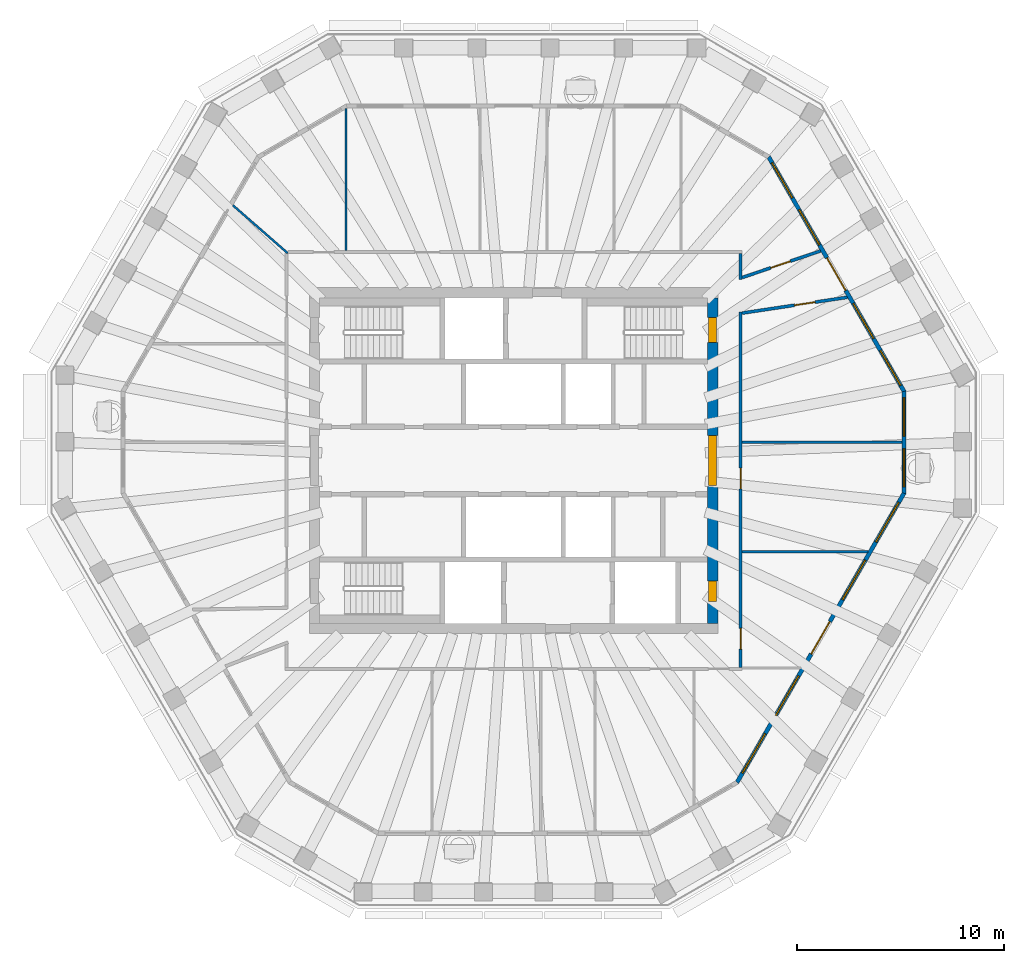
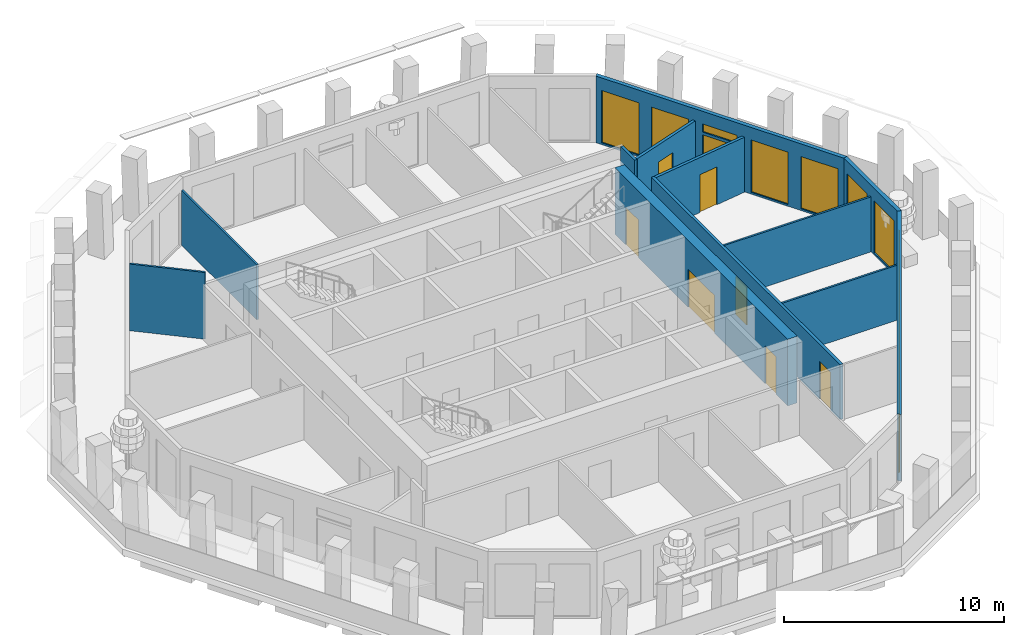
# One storey, part 6 of 11: 12 walls, 12 windows, 9 doors, 21 openings.
"""IFC4 building model written with IfcOpenShell, lengths in metres."""

from ifc_helpers import new_model, si_unit, direction, frame, frame_2d, origin, place, context, subcontext, project, spatial, polyline, rectangle, outline, extrude, material, layer, layer_set, type_object, element, fill, save


model = new_model("IFC4")

# Units and contexts
model_context = context("Model", 3, precision=1e-05, world=origin(), true_north=direction((0.0, 1.0)))
body_context = subcontext(model_context, "Body", "Model", "MODEL_VIEW")
ifc_project = project(units=[si_unit("LENGTHUNIT", "METRE"), si_unit("AREAUNIT", "SQUARE_METRE"), si_unit("VOLUMEUNIT", "CUBIC_METRE"), si_unit("PLANEANGLEUNIT", "RADIAN"), si_unit("MASSUNIT", "GRAM", prefix="KILO")], contexts=[model_context])

# Site, building, storey
site_placement = place(None, origin())
site = spatial("IfcSite", under=ifc_project, at=site_placement, CompositionType="ELEMENT")
building_placement = place(site_placement, origin())
building = spatial("IfcBuilding", under=site, at=building_placement, Name="Frailejon Research Tower", CompositionType="ELEMENT")
storey_placement = place(building_placement, frame((0.0, 0.0, 336.60009765625)))
storey = spatial("IfcBuildingStorey", under=building, at=storey_placement, Name="L75", CompositionType="ELEMENT", Elevation=336.60009765625)

# Wall, openings, doors
ifc_material_1 = material(Name="Concrete C50/60", Category="concrete")
ifc_layer_1 = layer(ifc_material_1, 0.5)
ifc_layer_set_1 = layer_set([ifc_layer_1], Name="Core shear wall 500 C50/60")
wall_type_1 = type_object("IfcWallType", Name="Core shear wall 500 C50/60", PredefinedType="SHEAR", material=ifc_layer_set_1)
wall_1_placement = place(storey_placement, frame((9.60009765625, -7.85009765625, 0.0), z_axis=(0.0, 0.0, 1.0), x_axis=(0.0, 1.0, 0.0)))
wall_1 = element("IfcWall", 1, at=wall_1_placement, inside=storey, type_object=wall_type_1, Name="Core shear wall", PredefinedType="SHEAR", context=body_context, shape_type="SweptSolid", body=[
    extrude(rectangle(XDim=15.7001953125, YDim=0.5, at=frame_2d((7.85009765625, 0.0))), origin(), (0.0, 0.0, 1.0), 3.699951171875),
])
opening_1_placement = place(wall_1_placement, frame((6.64990234375, 0.0, 0.0)))
opening_1 = element("IfcOpeningElement", 2, at=opening_1_placement, cuts=wall_1, Name="Opening D2", PredefinedType="OPENING", context=body_context, shape_type="SweptSolid", body=[
    extrude(rectangle(XDim=2.39990234375, YDim=2.10009765625, at=frame_2d((1.199951171875, 1.050048828125))), frame((0.0, 0.260009765625, 0.0), z_axis=(0.0, -1.0, 0.0), x_axis=(1.0, 0.0, 0.0)), (0.0, 0.0, 1.0), 0.52001953125),
])
opening_2_placement = place(wall_1_placement, frame((13.550048828125, 0.0, 0.0)))
opening_2 = element("IfcOpeningElement", 3, at=opening_2_placement, cuts=wall_1, Name="Opening D1", PredefinedType="OPENING", context=body_context, shape_type="SweptSolid", body=[
    extrude(rectangle(XDim=1.199951171875, YDim=2.10009765625, at=frame_2d((0.60009765625, 1.050048828125))), frame((0.0, 0.260009765625, 0.0), z_axis=(0.0, -1.0, 0.0), x_axis=(1.0, 0.0, 0.0)), (0.0, 0.0, 1.0), 0.52001953125),
])
opening_3_placement = place(wall_1_placement, frame((1.050048828125, 0.0, 0.0)))
opening_3 = element("IfcOpeningElement", 4, at=opening_3_placement, cuts=wall_1, Name="Opening D4", PredefinedType="OPENING", context=body_context, shape_type="SweptSolid", body=[
    extrude(rectangle(XDim=1.0, YDim=2.10009765625, at=frame_2d((0.5, 1.050048828125))), frame((0.0, 0.260009765625, 0.0), z_axis=(0.0, -1.0, 0.0), x_axis=(1.0, 0.0, 0.0)), (0.0, 0.0, 1.0), 0.52001953125),
])
ifc_material_2 = material(Name="Steel", Category="steel")
door_type_1 = type_object("IfcDoorType", Name="Lobby double door", OperationType="DOUBLE_DOOR_SINGLE_SWING", PredefinedType="DOOR", material=ifc_material_2)
door_1_placement = place(opening_1_placement, origin())
door_1 = element("IfcDoor", 5, at=door_1_placement, inside=storey, type_object=door_type_1, Name="Lobby door", OperationType="DOUBLE_DOOR_SINGLE_SWING", OverallHeight=2.10009765625, OverallWidth=2.39990234375, PredefinedType="DOOR", context=body_context, shape_type="SweptSolid", body=[
    extrude(rectangle(XDim=2.39990234375, YDim=2.10009765625, at=frame_2d((1.199951171875, 1.050048828125))), frame((0.0, 0.199951171875, 0.0), z_axis=(0.0, -1.0, 0.0), x_axis=(1.0, 0.0, 0.0)), (0.0, 0.0, 1.0), 0.39990234375),
])
fill(opening_1, door_1)
ifc_material_3 = material(Name="Steel", Category="steel")
door_type_2 = type_object("IfcDoorType", Name="Service door", OperationType="SINGLE_SWING_LEFT", PredefinedType="DOOR", material=ifc_material_3)
door_2_placement = place(opening_3_placement, origin())
door_2 = element("IfcDoor", 6, at=door_2_placement, inside=storey, type_object=door_type_2, Name="Riser door", OperationType="SINGLE_SWING_LEFT", OverallHeight=2.10009765625, OverallWidth=1.0, PredefinedType="DOOR", context=body_context, shape_type="SweptSolid", body=[
    extrude(rectangle(XDim=1.0, YDim=2.10009765625, at=frame_2d((0.5, 1.050048828125))), frame((0.0, 0.199951171875, 0.0), z_axis=(0.0, -1.0, 0.0), x_axis=(1.0, 0.0, 0.0)), (0.0, 0.0, 1.0), 0.39990234375),
])
fill(opening_3, door_2)
ifc_material_4 = material(Name="Steel", Category="steel")
door_type_3 = type_object("IfcDoorType", Name="Stair door", OperationType="SINGLE_SWING_LEFT", PredefinedType="DOOR", material=ifc_material_4)
door_3_placement = place(opening_2_placement, origin())
door_3 = element("IfcDoor", 7, at=door_3_placement, inside=storey, type_object=door_type_3, Name="Stair door ST3", OperationType="SINGLE_SWING_RIGHT", OverallHeight=2.10009765625, OverallWidth=1.199951171875, PredefinedType="DOOR", context=body_context, shape_type="SweptSolid", body=[
    extrude(rectangle(XDim=1.199951171875, YDim=2.10009765625, at=frame_2d((0.60009765625, 1.050048828125))), frame((0.0, 0.199951171875, 0.0), z_axis=(0.0, -1.0, 0.0), x_axis=(1.0, 0.0, 0.0)), (0.0, 0.0, 1.0), 0.39990234375),
])
fill(opening_2, door_3)

# Wall, opening, door
ifc_material_5 = material(Name="Gypsum board and masonry partition", Category="masonry")
ifc_layer_2 = layer(ifc_material_5, 0.14990234375)
ifc_layer_set_2 = layer_set([ifc_layer_2], Name="Corridor wall EI 60, gypsum on steel studs 150")
wall_type_2 = type_object("IfcWallType", Name="Corridor wall EI 60, gypsum on steel studs 150", PredefinedType="PARTITIONING", material=ifc_layer_set_2)
wall_2_placement = place(storey_placement, frame((11.024169921875, 7.111083984375, 0.0), z_axis=(0.0, 0.0, 1.0), x_axis=(0.988936004007, 0.148342778651, 0.0)))
wall_2 = element("IfcWall", 8, at=wall_2_placement, inside=storey, type_object=wall_type_2, Name="T:IW:L75:001", PredefinedType="PARTITIONING", context=body_context, shape_type="SweptSolid", body=[
    extrude(rectangle(XDim=5.13330078125, YDim=0.14990234375, at=frame_2d((2.566650390625, 0.0))), origin(), (0.0, 0.0, 1.0), 3.0498046875),
])
opening_4_placement = place(wall_2_placement, frame((2.555419921875, 0.0, 0.0)))
opening_4 = element("IfcOpeningElement", 9, at=opening_4_placement, cuts=wall_2, Name="Opening D2397", PredefinedType="OPENING", context=body_context, shape_type="SweptSolid", body=[
    extrude(rectangle(XDim=1.0, YDim=2.10009765625, at=frame_2d((0.5, 1.050048828125))), frame((0.0, 0.0849609375, 0.0), z_axis=(0.0, -1.0, 0.0), x_axis=(1.0, 0.0, 0.0)), (0.0, 0.0, 1.0), 0.169921875),
])
ifc_material_6 = material(Name="Timber door leaf", Category="wood")
door_type_4 = type_object("IfcDoorType", Name="Door single leaf, timber, steel frame 1000", OperationType="NOTDEFINED", PredefinedType="DOOR", material=ifc_material_6)
door_4_placement = place(opening_4_placement, origin())
door_4 = element("IfcDoor", 10, at=door_4_placement, inside=storey, type_object=door_type_4, Name="D2397", OperationType="SINGLE_SWING_RIGHT", OverallHeight=2.10009765625, OverallWidth=1.0, PredefinedType="DOOR", context=body_context, shape_type="SweptSolid", body=[
    extrude(rectangle(XDim=1.0, YDim=2.10009765625, at=frame_2d((0.5, 1.050048828125))), frame((0.0, 0.02490234375, 0.0), z_axis=(0.0, -1.0, 0.0), x_axis=(1.0, 0.0, 0.0)), (0.0, 0.0, 1.0), 0.050048828125),
])
fill(opening_4, door_4)

wall_3_placement = place(storey_placement, frame((11.02099609375, 8.82421875, 0.0), z_axis=(0.0, 0.0, 1.0), x_axis=(0.946948189556, 0.321386257167, 0.0)))
wall_3 = element("IfcWall", 11, at=wall_3_placement, inside=storey, type_object=wall_type_2, Name="T:IW:L75:002", PredefinedType="PARTITIONING", context=body_context, shape_type="SweptSolid", body=[
    extrude(rectangle(XDim=4.000244140625, YDim=0.14990234375, at=frame_2d((2.0, 0.0))), origin(), (0.0, 0.0, 1.0), 3.0498046875),
])
opening_5_placement = place(wall_3_placement, frame((1.462646484375, 0.0, 0.0)))
opening_5 = element("IfcOpeningElement", 12, at=opening_5_placement, cuts=wall_3, Name="Opening D2398", PredefinedType="OPENING", context=body_context, shape_type="SweptSolid", body=[
    extrude(rectangle(XDim=1.0, YDim=2.10009765625, at=frame_2d((0.5, 1.050048828125))), frame((0.0, 0.0849609375, 0.0), z_axis=(0.0, -1.0, 0.0), x_axis=(1.0, 0.0, 0.0)), (0.0, 0.0, 1.0), 0.169921875),
])
door_5_placement = place(opening_5_placement, origin())
door_5 = element("IfcDoor", 13, at=door_5_placement, inside=storey, type_object=door_type_4, Name="D2398", OperationType="SINGLE_SWING_LEFT", OverallHeight=2.10009765625, OverallWidth=1.0, PredefinedType="DOOR", context=body_context, shape_type="SweptSolid", body=[
    extrude(rectangle(XDim=1.0, YDim=2.10009765625, at=frame_2d((0.5, 1.050048828125))), frame((0.0, 0.02490234375, 0.0), z_axis=(0.0, -1.0, 0.0), x_axis=(1.0, 0.0, 0.0)), (0.0, 0.0, 1.0), 0.050048828125),
])
fill(opening_5, door_5)

# Wall, openings, doors
wall_4_placement = place(storey_placement, frame((10.949951171875, -9.97509765625, 0.0), z_axis=(0.0, 0.0, 1.0), x_axis=(0.0, 1.0, 0.0)))
wall_4 = element("IfcWall", 14, at=wall_4_placement, inside=storey, type_object=wall_type_2, Name="T:IW:L75:003", PredefinedType="PARTITIONING", context=body_context, shape_type="SweptSolid", body=[
    extrude(rectangle(XDim=17.150146484375, YDim=0.14990234375, at=frame_2d((8.5751953125, 0.0))), origin(), (0.0, 0.0, 1.0), 3.0498046875),
])
opening_6_placement = place(wall_4_placement, frame((0.875, 0.0, 0.0)))
opening_6 = element("IfcOpeningElement", 15, at=opening_6_placement, cuts=wall_4, Name="Opening D2412", PredefinedType="OPENING", context=body_context, shape_type="SweptSolid", body=[
    extrude(rectangle(XDim=1.0, YDim=2.10009765625, at=frame_2d((0.5, 1.050048828125))), frame((0.0, 0.0849609375, 0.0), z_axis=(0.0, -1.0, 0.0), x_axis=(1.0, 0.0, 0.0)), (0.0, 0.0, 1.0), 0.169921875),
])
opening_7_placement = place(wall_4_placement, frame((8.609619140625, 0.0, 0.0)))
opening_7 = element("IfcOpeningElement", 16, at=opening_7_placement, cuts=wall_4, Name="Opening D2413", PredefinedType="OPENING", context=body_context, shape_type="SweptSolid", body=[
    extrude(rectangle(XDim=1.0, YDim=2.10009765625, at=frame_2d((0.5, 1.050048828125))), frame((0.0, 0.0849609375, 0.0), z_axis=(0.0, -1.0, 0.0), x_axis=(1.0, 0.0, 0.0)), (0.0, 0.0, 1.0), 0.169921875),
])
door_6_placement = place(opening_6_placement, origin())
door_6 = element("IfcDoor", 17, at=door_6_placement, inside=storey, type_object=door_type_4, Name="D2412", OperationType="SINGLE_SWING_RIGHT", OverallHeight=2.10009765625, OverallWidth=1.0, PredefinedType="DOOR", context=body_context, shape_type="SweptSolid", body=[
    extrude(rectangle(XDim=1.0, YDim=2.10009765625, at=frame_2d((0.5, 1.050048828125))), frame((0.0, 0.02490234375, 0.0), z_axis=(0.0, -1.0, 0.0), x_axis=(1.0, 0.0, 0.0)), (0.0, 0.0, 1.0), 0.050048828125),
])
fill(opening_6, door_6)
door_7_placement = place(opening_7_placement, origin())
door_7 = element("IfcDoor", 18, at=door_7_placement, inside=storey, type_object=door_type_4, Name="D2413", OperationType="SINGLE_SWING_RIGHT", OverallHeight=2.10009765625, OverallWidth=1.0, PredefinedType="DOOR", context=body_context, shape_type="SweptSolid", body=[
    extrude(rectangle(XDim=1.0, YDim=2.10009765625, at=frame_2d((0.5, 1.050048828125))), frame((0.0, 0.02490234375, 0.0), z_axis=(0.0, -1.0, 0.0), x_axis=(1.0, 0.0, 0.0)), (0.0, 0.0, 1.0), 0.050048828125),
])
fill(opening_7, door_7)

# Walls
wall_5_placement = place(storey_placement, frame((10.949951171875, 8.72509765625, 0.0), z_axis=(0.0, 0.0, 1.0), x_axis=(0.0, 1.0, 0.0)))
element("IfcWall", 19, at=wall_5_placement, inside=storey, type_object=wall_type_2, Name="T:IW:L75:004", PredefinedType="PARTITIONING", context=body_context, shape_type="SweptSolid", body=[
    extrude(rectangle(XDim=1.25, YDim=0.14990234375, at=frame_2d((0.625, 0.0))), origin(), (0.0, 0.0, 1.0), 3.0498046875),
])
ifc_material_7 = material(Name="Gypsum board and masonry partition", Category="masonry")
ifc_layer_3 = layer(ifc_material_7, 0.10009765625)
ifc_layer_set_3 = layer_set([ifc_layer_3], Name="Partition, gypsum on steel studs 100")
wall_type_3 = type_object("IfcWallType", Name="Partition, gypsum on steel studs 100", PredefinedType="PARTITIONING", material=ifc_layer_set_3)
wall_6_placement = place(storey_placement, frame((11.02490234375, 0.8798828125, 0.0), z_axis=(0.0, 0.0, 1.0), x_axis=(1.0, 0.0, 0.0)))
element("IfcWall", 20, at=wall_6_placement, inside=storey, type_object=wall_type_3, Name="T:IW:L75:012", PredefinedType="PARTITIONING", context=body_context, shape_type="SweptSolid", body=[
    extrude(rectangle(XDim=7.710693359375, YDim=0.10009765625, at=frame_2d((3.85546875, 0.0))), origin(), (0.0, 0.0, 1.0), 3.0498046875),
])
wall_7_placement = place(storey_placement, frame((-8.079833984375, 10.125, 0.0), z_axis=(0.0, 0.0, 1.0), x_axis=(0.0, 1.0, 0.0)))
element("IfcWall", 21, at=wall_7_placement, inside=storey, type_object=wall_type_3, Name="T:IW:L75:017", PredefinedType="PARTITIONING", context=body_context, shape_type="SweptSolid", body=[
    extrude(rectangle(XDim=6.843994140625, YDim=0.10009765625, at=frame_2d((3.421875, 0.0))), origin(), (0.0, 0.0, 1.0), 3.0498046875),
])
wall_8_placement = place(storey_placement, frame((-13.53759765625, 12.312255859375, 0.0), z_axis=(0.0, 0.0, 1.0), x_axis=(0.752826395451, -0.658219126364, 0.0)))
element("IfcWall", 22, at=wall_8_placement, inside=storey, type_object=wall_type_3, Name="T:IW:L75:018", PredefinedType="PARTITIONING", context=body_context, shape_type="SweptSolid", body=[
    extrude(rectangle(XDim=3.51220703125, YDim=0.10009765625, at=frame_2d((1.756103515625, 0.0))), origin(), (0.0, 0.0, 1.0), 3.699951171875),
])
wall_9_placement = place(storey_placement, frame((11.02490234375, -4.401611328125, 0.0), z_axis=(0.0, 0.0, 1.0), x_axis=(1.0, 0.0, 0.0)))
element("IfcWall", 23, at=wall_9_placement, inside=storey, type_object=wall_type_3, Name="T:IW:L75:025", PredefinedType="PARTITIONING", context=body_context, shape_type="SweptSolid", body=[
    extrude(rectangle(XDim=6.063720703125, YDim=0.10009765625, at=frame_2d((3.03173828125, 0.0))), origin(), (0.0, 0.0, 1.0), 3.0498046875),
])

# Wall, openings, windows
ifc_material_8 = material(Name="Concrete C40/50 precast window wall panel", Category="concrete")
ifc_layer_4 = layer(ifc_material_8, 0.199951171875)
ifc_layer_set_4 = layer_set([ifc_layer_4], Name="Window wall 200")
wall_type_4 = type_object("IfcWallType", Name="Window wall 200", PredefinedType="SOLIDWALL", material=ifc_layer_set_4)
wall_10_placement = place(storey_placement, frame((18.83544921875, -1.575927734375, 0.0), z_axis=(0.0, 0.0, 1.0), x_axis=(0.0, 1.0, 0.0)))
wall_10 = element("IfcWall", 24, at=wall_10_placement, inside=storey, type_object=wall_type_4, Name="Exterior wall L75", PredefinedType="SOLIDWALL", context=body_context, shape_type="SweptSolid", body=[
    extrude(outline(polyline([(-0.02685546875, -0.10009765625), (1.21435546875, -0.10009765625), (2.455810546875, -0.10009765625), (3.697265625, -0.10009765625), (4.9384765625, -0.10009765625), (4.884765625, 0.10009765625), (3.67041015625, 0.10009765625), (2.455810546875, 0.10009765625), (1.2412109375, 0.10009765625), (0.02685546875, 0.10009765625), (-0.02685546875, -0.10009765625)])), origin(), (0.0, 0.0, 1.0), 3.699951171875),
])
opening_8_placement = place(wall_10_placement, frame((0.302978515625, 0.0, 0.10009765625)))
opening_8 = element("IfcOpeningElement", 25, at=opening_8_placement, cuts=wall_10, Name="Opening W26", PredefinedType="OPENING", context=body_context, shape_type="SweptSolid", body=[
    extrude(rectangle(XDim=1.85009765625, YDim=2.89990234375, at=frame_2d((0.925048828125, 1.449951171875))), frame((0.0, 0.10986328125, 0.0), z_axis=(0.0, -1.0, 0.0), x_axis=(1.0, 0.0, 0.0)), (0.0, 0.0, 1.0), 0.219970703125),
])
opening_9_placement = place(wall_10_placement, frame((2.7587890625, 0.0, 0.10009765625)))
opening_9 = element("IfcOpeningElement", 26, at=opening_9_placement, cuts=wall_10, Name="Opening W26", PredefinedType="OPENING", context=body_context, shape_type="SweptSolid", body=[
    extrude(rectangle(XDim=1.85009765625, YDim=2.89990234375, at=frame_2d((0.925048828125, 1.449951171875))), frame((0.0, 0.10986328125, 0.0), z_axis=(0.0, -1.0, 0.0), x_axis=(1.0, 0.0, 0.0)), (0.0, 0.0, 1.0), 0.219970703125),
])
ifc_material_9 = material(Name="Aluminium framed double glazing", Category="aluminium")
window_type_1 = type_object("IfcWindowType", Name="Window 1850x2900", PartitioningType="SINGLE_PANEL", PredefinedType="WINDOW", material=ifc_material_9)
window_1_placement = place(opening_8_placement, origin())
window_1 = element("IfcWindow", 27, at=window_1_placement, inside=storey, type_object=window_type_1, Name="Window L75", OverallHeight=2.89990234375, OverallWidth=1.85009765625, PartitioningType="SINGLE_PANEL", PredefinedType="WINDOW", context=body_context, shape_type="SweptSolid", body=[
    extrude(rectangle(XDim=1.85009765625, YDim=2.89990234375, at=frame_2d((0.925048828125, 1.449951171875))), frame((0.0, 0.030029296875, 0.0), z_axis=(0.0, -1.0, 0.0), x_axis=(1.0, 0.0, 0.0)), (0.0, 0.0, 1.0), 0.06005859375),
])
fill(opening_8, window_1)
window_2_placement = place(opening_9_placement, origin())
window_2 = element("IfcWindow", 28, at=window_2_placement, inside=storey, type_object=window_type_1, Name="Window L75", OverallHeight=2.89990234375, OverallWidth=1.85009765625, PartitioningType="SINGLE_PANEL", PredefinedType="WINDOW", context=body_context, shape_type="SweptSolid", body=[
    extrude(rectangle(XDim=1.85009765625, YDim=2.89990234375, at=frame_2d((0.925048828125, 1.449951171875))), frame((0.0, 0.030029296875, 0.0), z_axis=(0.0, -1.0, 0.0), x_axis=(1.0, 0.0, 0.0)), (0.0, 0.0, 1.0), 0.06005859375),
])
fill(opening_9, window_2)

# Wall, openings, door, windows
wall_11_placement = place(storey_placement, frame((18.83544921875, 3.335693359375, 0.0), z_axis=(0.0, 0.0, 1.0), x_axis=(-0.499987877897, 0.866032402371, 0.0)))
wall_11 = element("IfcWall", 29, at=wall_11_placement, inside=storey, type_object=wall_type_4, Name="Exterior wall L75", PredefinedType="SOLIDWALL", context=body_context, shape_type="SweptSolid", body=[
    extrude(outline(polyline([(-0.02685546875, -0.10009765625), (0.981689453125, -0.10009765625), (1.990234375, -0.10009765625), (2.998779296875, -0.10009765625), (4.007568359375, -0.10009765625), (5.01611328125, -0.10009765625), (6.024658203125, -0.10009765625), (7.033203125, -0.10009765625), (8.041748046875, -0.10009765625), (9.05029296875, -0.10009765625), (10.05908203125, -0.10009765625), (11.067626953125, -0.10009765625), (12.076171875, -0.10009765625), (13.084716796875, -0.10009765625), (13.031005859375, 0.10009765625), (12.03076171875, 0.10009765625), (11.0302734375, 0.10009765625), (10.030029296875, 0.10009765625), (9.02978515625, 0.10009765625), (8.029296875, 0.10009765625), (7.029052734375, 0.10009765625), (6.02880859375, 0.10009765625), (5.028564453125, 0.10009765625), (4.028076171875, 0.10009765625), (3.02783203125, 0.10009765625), (2.027587890625, 0.10009765625), (1.027099609375, 0.10009765625), (0.02685546875, 0.10009765625), (-0.02685546875, -0.10009765625)])), origin(), (0.0, 0.0, 1.0), 3.699951171875),
])
opening_10_placement = place(wall_11_placement, frame((0.330810546875, 0.0, 0.10009765625)))
opening_10 = element("IfcOpeningElement", 30, at=opening_10_placement, cuts=wall_11, Name="Opening W27", PredefinedType="OPENING", context=body_context, shape_type="SweptSolid", body=[
    extrude(rectangle(XDim=1.949951171875, YDim=2.89990234375, at=frame_2d((0.97509765625, 1.449951171875))), frame((0.0, 0.10986328125, 0.0), z_axis=(0.0, -1.0, 0.0), x_axis=(1.0, 0.0, 0.0)), (0.0, 0.0, 1.0), 0.219970703125),
])
opening_11_placement = place(wall_11_placement, frame((2.9423828125, 0.0, 0.10009765625)))
opening_11 = element("IfcOpeningElement", 31, at=opening_11_placement, cuts=wall_11, Name="Opening W27", PredefinedType="OPENING", context=body_context, shape_type="SweptSolid", body=[
    extrude(rectangle(XDim=1.949951171875, YDim=2.89990234375, at=frame_2d((0.97509765625, 1.449951171875))), frame((0.0, 0.10986328125, 0.0), z_axis=(0.0, -1.0, 0.0), x_axis=(1.0, 0.0, 0.0)), (0.0, 0.0, 1.0), 0.219970703125),
])
opening_12_placement = place(wall_11_placement, frame((5.62890625, 0.0, 0.0)))
opening_12 = element("IfcOpeningElement", 32, at=opening_12_placement, cuts=wall_11, Name="Opening LG75-1", PredefinedType="OPENING", context=body_context, shape_type="SweptSolid", body=[
    extrude(rectangle(XDim=1.800048828125, YDim=2.39990234375, at=frame_2d((0.89990234375, 1.199951171875))), frame((0.0, 0.10986328125, 0.0), z_axis=(0.0, -1.0, 0.0), x_axis=(1.0, 0.0, 0.0)), (0.0, 0.0, 1.0), 0.219970703125),
])
opening_13_placement = place(wall_11_placement, frame((5.62890625, 0.0, 2.550048828125)))
opening_13 = element("IfcOpeningElement", 33, at=opening_13_placement, cuts=wall_11, Name="Opening W1", PredefinedType="OPENING", context=body_context, shape_type="SweptSolid", body=[
    extrude(rectangle(XDim=1.800048828125, YDim=0.449951171875, at=frame_2d((0.89990234375, 0.22509765625))), frame((0.0, 0.10986328125, 0.0), z_axis=(0.0, -1.0, 0.0), x_axis=(1.0, 0.0, 0.0)), (0.0, 0.0, 1.0), 0.219970703125),
])
opening_14_placement = place(wall_11_placement, frame((8.16552734375, 0.0, 0.10009765625)))
opening_14 = element("IfcOpeningElement", 34, at=opening_14_placement, cuts=wall_11, Name="Opening W27", PredefinedType="OPENING", context=body_context, shape_type="SweptSolid", body=[
    extrude(rectangle(XDim=1.949951171875, YDim=2.89990234375, at=frame_2d((0.97509765625, 1.449951171875))), frame((0.0, 0.10986328125, 0.0), z_axis=(0.0, -1.0, 0.0), x_axis=(1.0, 0.0, 0.0)), (0.0, 0.0, 1.0), 0.219970703125),
])
opening_15_placement = place(wall_11_placement, frame((10.777099609375, 0.0, 0.10009765625)))
opening_15 = element("IfcOpeningElement", 35, at=opening_15_placement, cuts=wall_11, Name="Opening W27", PredefinedType="OPENING", context=body_context, shape_type="SweptSolid", body=[
    extrude(rectangle(XDim=1.949951171875, YDim=2.89990234375, at=frame_2d((0.97509765625, 1.449951171875))), frame((0.0, 0.10986328125, 0.0), z_axis=(0.0, -1.0, 0.0), x_axis=(1.0, 0.0, 0.0)), (0.0, 0.0, 1.0), 0.219970703125),
])
ifc_material_10 = material(Name="Aluminium framed glazed door leaf", Category="aluminium")
door_type_5 = type_object("IfcDoorType", Name="Loggia door 1800x2400", OperationType="DOUBLE_DOOR_SINGLE_SWING", PredefinedType="DOOR", material=ifc_material_10)
door_8_placement = place(opening_12_placement, origin())
door_8 = element("IfcDoor", 36, at=door_8_placement, inside=storey, type_object=door_type_5, Name="Door LG75-1", OperationType="DOUBLE_DOOR_SINGLE_SWING", OverallHeight=2.39990234375, OverallWidth=1.800048828125, PredefinedType="DOOR", context=body_context, shape_type="SweptSolid", body=[
    extrude(rectangle(XDim=1.800048828125, YDim=2.39990234375, at=frame_2d((0.89990234375, 1.199951171875))), frame((0.0, 0.02490234375, 0.0), z_axis=(0.0, -1.0, 0.0), x_axis=(1.0, 0.0, 0.0)), (0.0, 0.0, 1.0), 0.050048828125),
])
fill(opening_12, door_8)
ifc_material_11 = material(Name="Aluminium framed double glazing", Category="aluminium")
window_type_2 = type_object("IfcWindowType", Name="Window 1800x450", PartitioningType="SINGLE_PANEL", PredefinedType="WINDOW", material=ifc_material_11)
window_3_placement = place(opening_13_placement, origin())
window_3 = element("IfcWindow", 37, at=window_3_placement, inside=storey, type_object=window_type_2, Name="Window L75", OverallHeight=0.449951171875, OverallWidth=1.800048828125, PartitioningType="SINGLE_PANEL", PredefinedType="WINDOW", context=body_context, shape_type="SweptSolid", body=[
    extrude(rectangle(XDim=1.800048828125, YDim=0.449951171875, at=frame_2d((0.89990234375, 0.22509765625))), frame((0.0, 0.030029296875, 0.0), z_axis=(0.0, -1.0, 0.0), x_axis=(1.0, 0.0, 0.0)), (0.0, 0.0, 1.0), 0.06005859375),
])
fill(opening_13, window_3)
ifc_material_12 = material(Name="Aluminium framed double glazing", Category="aluminium")
window_type_3 = type_object("IfcWindowType", Name="Window 1950x2900", PartitioningType="SINGLE_PANEL", PredefinedType="WINDOW", material=ifc_material_12)
window_4_placement = place(opening_10_placement, origin())
window_4 = element("IfcWindow", 38, at=window_4_placement, inside=storey, type_object=window_type_3, Name="Window L75", OverallHeight=2.89990234375, OverallWidth=1.949951171875, PartitioningType="SINGLE_PANEL", PredefinedType="WINDOW", context=body_context, shape_type="SweptSolid", body=[
    extrude(rectangle(XDim=1.949951171875, YDim=2.89990234375, at=frame_2d((0.97509765625, 1.449951171875))), frame((0.0, 0.030029296875, 0.0), z_axis=(0.0, -1.0, 0.0), x_axis=(1.0, 0.0, 0.0)), (0.0, 0.0, 1.0), 0.06005859375),
])
fill(opening_10, window_4)
window_5_placement = place(opening_11_placement, origin())
window_5 = element("IfcWindow", 39, at=window_5_placement, inside=storey, type_object=window_type_3, Name="Window L75", OverallHeight=2.89990234375, OverallWidth=1.949951171875, PartitioningType="SINGLE_PANEL", PredefinedType="WINDOW", context=body_context, shape_type="SweptSolid", body=[
    extrude(rectangle(XDim=1.949951171875, YDim=2.89990234375, at=frame_2d((0.97509765625, 1.449951171875))), frame((0.0, 0.030029296875, 0.0), z_axis=(0.0, -1.0, 0.0), x_axis=(1.0, 0.0, 0.0)), (0.0, 0.0, 1.0), 0.06005859375),
])
fill(opening_11, window_5)
window_6_placement = place(opening_14_placement, origin())
window_6 = element("IfcWindow", 40, at=window_6_placement, inside=storey, type_object=window_type_3, Name="Window L75", OverallHeight=2.89990234375, OverallWidth=1.949951171875, PartitioningType="SINGLE_PANEL", PredefinedType="WINDOW", context=body_context, shape_type="SweptSolid", body=[
    extrude(rectangle(XDim=1.949951171875, YDim=2.89990234375, at=frame_2d((0.97509765625, 1.449951171875))), frame((0.0, 0.030029296875, 0.0), z_axis=(0.0, -1.0, 0.0), x_axis=(1.0, 0.0, 0.0)), (0.0, 0.0, 1.0), 0.06005859375),
])
fill(opening_14, window_6)
window_7_placement = place(opening_15_placement, origin())
window_7 = element("IfcWindow", 41, at=window_7_placement, inside=storey, type_object=window_type_3, Name="Window L75", OverallHeight=2.89990234375, OverallWidth=1.949951171875, PartitioningType="SINGLE_PANEL", PredefinedType="WINDOW", context=body_context, shape_type="SweptSolid", body=[
    extrude(rectangle(XDim=1.949951171875, YDim=2.89990234375, at=frame_2d((0.97509765625, 1.449951171875))), frame((0.0, 0.030029296875, 0.0), z_axis=(0.0, -1.0, 0.0), x_axis=(1.0, 0.0, 0.0)), (0.0, 0.0, 1.0), 0.06005859375),
])
fill(opening_15, window_7)

wall_12_placement = place(storey_placement, frame((10.782470703125, -15.524169921875, 0.0), z_axis=(0.0, 0.0, 1.0), x_axis=(0.49999800388, 0.866026556242, 0.0)))
wall_12 = element("IfcWall", 42, at=wall_12_placement, inside=storey, type_object=wall_type_4, Name="Exterior wall L75", PredefinedType="SOLIDWALL", context=body_context, shape_type="SweptSolid", body=[
    extrude(outline(polyline([(-0.02685546875, -0.10009765625), (0.983154296875, -0.10009765625), (1.9931640625, -0.10009765625), (3.003173828125, -0.10009765625), (4.01318359375, -0.10009765625), (5.02294921875, -0.10009765625), (6.032958984375, -0.10009765625), (7.04296875, -0.10009765625), (8.052978515625, -0.10009765625), (9.06298828125, -0.10009765625), (10.072998046875, -0.10009765625), (11.0830078125, -0.10009765625), (12.0927734375, -0.10009765625), (13.102783203125, -0.10009765625), (14.11279296875, -0.10009765625), (15.122802734375, -0.10009765625), (16.1328125, -0.10009765625), (16.0791015625, 0.10009765625), (15.075927734375, 0.10009765625), (14.072509765625, 0.10009765625), (13.0693359375, 0.10009765625), (12.06591796875, 0.10009765625), (11.062744140625, 0.10009765625), (10.0595703125, 0.10009765625), (9.05615234375, 0.10009765625), (8.052978515625, 0.10009765625), (7.0498046875, 0.10009765625), (6.04638671875, 0.10009765625), (5.043212890625, 0.10009765625), (4.0400390625, 0.10009765625), (3.03662109375, 0.10009765625), (2.033447265625, 0.10009765625), (1.030029296875, 0.10009765625), (0.02685546875, 0.10009765625), (-0.02685546875, -0.10009765625)])), origin(), (0.0, 0.0, 1.0), 3.699951171875),
])
opening_16_placement = place(wall_12_placement, frame((0.510498046875, 0.0, 0.10009765625)))
opening_16 = element("IfcOpeningElement", 43, at=opening_16_placement, cuts=wall_12, Name="Opening W28", PredefinedType="OPENING", context=body_context, shape_type="SweptSolid", body=[
    extrude(rectangle(XDim=2.199951171875, YDim=2.89990234375, at=frame_2d((1.10009765625, 1.449951171875))), frame((0.0, 0.10986328125, 0.0), z_axis=(0.0, -1.0, 0.0), x_axis=(1.0, 0.0, 0.0)), (0.0, 0.0, 1.0), 0.219970703125),
])
opening_17_placement = place(wall_12_placement, frame((3.731689453125, 0.0, 0.10009765625)))
opening_17 = element("IfcOpeningElement", 44, at=opening_17_placement, cuts=wall_12, Name="Opening W28", PredefinedType="OPENING", context=body_context, shape_type="SweptSolid", body=[
    extrude(rectangle(XDim=2.199951171875, YDim=2.89990234375, at=frame_2d((1.10009765625, 1.449951171875))), frame((0.0, 0.10986328125, 0.0), z_axis=(0.0, -1.0, 0.0), x_axis=(1.0, 0.0, 0.0)), (0.0, 0.0, 1.0), 0.219970703125),
])
opening_18_placement = place(wall_12_placement, frame((7.153076171875, 0.0, 0.0)))
opening_18 = element("IfcOpeningElement", 45, at=opening_18_placement, cuts=wall_12, Name="Opening LG75-6", PredefinedType="OPENING", context=body_context, shape_type="SweptSolid", body=[
    extrude(rectangle(XDim=1.800048828125, YDim=2.39990234375, at=frame_2d((0.89990234375, 1.199951171875))), frame((0.0, 0.10986328125, 0.0), z_axis=(0.0, -1.0, 0.0), x_axis=(1.0, 0.0, 0.0)), (0.0, 0.0, 1.0), 0.219970703125),
])
opening_19_placement = place(wall_12_placement, frame((7.153076171875, 0.0, 2.550048828125)))
opening_19 = element("IfcOpeningElement", 46, at=opening_19_placement, cuts=wall_12, Name="Opening W1", PredefinedType="OPENING", context=body_context, shape_type="SweptSolid", body=[
    extrude(rectangle(XDim=1.800048828125, YDim=0.449951171875, at=frame_2d((0.89990234375, 0.22509765625))), frame((0.0, 0.10986328125, 0.0), z_axis=(0.0, -1.0, 0.0), x_axis=(1.0, 0.0, 0.0)), (0.0, 0.0, 1.0), 0.219970703125),
])
opening_20_placement = place(wall_12_placement, frame((10.17431640625, 0.0, 0.10009765625)))
opening_20 = element("IfcOpeningElement", 47, at=opening_20_placement, cuts=wall_12, Name="Opening W28", PredefinedType="OPENING", context=body_context, shape_type="SweptSolid", body=[
    extrude(rectangle(XDim=2.199951171875, YDim=2.89990234375, at=frame_2d((1.10009765625, 1.449951171875))), frame((0.0, 0.10986328125, 0.0), z_axis=(0.0, -1.0, 0.0), x_axis=(1.0, 0.0, 0.0)), (0.0, 0.0, 1.0), 0.219970703125),
])
opening_21_placement = place(wall_12_placement, frame((13.3955078125, 0.0, 0.10009765625)))
opening_21 = element("IfcOpeningElement", 48, at=opening_21_placement, cuts=wall_12, Name="Opening W28", PredefinedType="OPENING", context=body_context, shape_type="SweptSolid", body=[
    extrude(rectangle(XDim=2.199951171875, YDim=2.89990234375, at=frame_2d((1.10009765625, 1.449951171875))), frame((0.0, 0.10986328125, 0.0), z_axis=(0.0, -1.0, 0.0), x_axis=(1.0, 0.0, 0.0)), (0.0, 0.0, 1.0), 0.219970703125),
])
door_9_placement = place(opening_18_placement, origin())
door_9 = element("IfcDoor", 49, at=door_9_placement, inside=storey, type_object=door_type_5, Name="Door LG75-6", OperationType="DOUBLE_DOOR_SINGLE_SWING", OverallHeight=2.39990234375, OverallWidth=1.800048828125, PredefinedType="DOOR", context=body_context, shape_type="SweptSolid", body=[
    extrude(rectangle(XDim=1.800048828125, YDim=2.39990234375, at=frame_2d((0.89990234375, 1.199951171875))), frame((0.0, 0.02490234375, 0.0), z_axis=(0.0, -1.0, 0.0), x_axis=(1.0, 0.0, 0.0)), (0.0, 0.0, 1.0), 0.050048828125),
])
fill(opening_18, door_9)
window_8_placement = place(opening_19_placement, origin())
window_8 = element("IfcWindow", 50, at=window_8_placement, inside=storey, type_object=window_type_2, Name="Window L75", OverallHeight=0.449951171875, OverallWidth=1.800048828125, PartitioningType="SINGLE_PANEL", PredefinedType="WINDOW", context=body_context, shape_type="SweptSolid", body=[
    extrude(rectangle(XDim=1.800048828125, YDim=0.449951171875, at=frame_2d((0.89990234375, 0.22509765625))), frame((0.0, 0.030029296875, 0.0), z_axis=(0.0, -1.0, 0.0), x_axis=(1.0, 0.0, 0.0)), (0.0, 0.0, 1.0), 0.06005859375),
])
fill(opening_19, window_8)
ifc_material_13 = material(Name="Aluminium framed double glazing", Category="aluminium")
window_type_4 = type_object("IfcWindowType", Name="Window 2200x2900", PartitioningType="SINGLE_PANEL", PredefinedType="WINDOW", material=ifc_material_13)
window_9_placement = place(opening_16_placement, origin())
window_9 = element("IfcWindow", 51, at=window_9_placement, inside=storey, type_object=window_type_4, Name="Window L75", OverallHeight=2.89990234375, OverallWidth=2.199951171875, PartitioningType="SINGLE_PANEL", PredefinedType="WINDOW", context=body_context, shape_type="SweptSolid", body=[
    extrude(rectangle(XDim=2.199951171875, YDim=2.89990234375, at=frame_2d((1.10009765625, 1.449951171875))), frame((0.0, 0.030029296875, 0.0), z_axis=(0.0, -1.0, 0.0), x_axis=(1.0, 0.0, 0.0)), (0.0, 0.0, 1.0), 0.06005859375),
])
fill(opening_16, window_9)
window_10_placement = place(opening_17_placement, origin())
window_10 = element("IfcWindow", 52, at=window_10_placement, inside=storey, type_object=window_type_4, Name="Window L75", OverallHeight=2.89990234375, OverallWidth=2.199951171875, PartitioningType="SINGLE_PANEL", PredefinedType="WINDOW", context=body_context, shape_type="SweptSolid", body=[
    extrude(rectangle(XDim=2.199951171875, YDim=2.89990234375, at=frame_2d((1.10009765625, 1.449951171875))), frame((0.0, 0.030029296875, 0.0), z_axis=(0.0, -1.0, 0.0), x_axis=(1.0, 0.0, 0.0)), (0.0, 0.0, 1.0), 0.06005859375),
])
fill(opening_17, window_10)
window_11_placement = place(opening_20_placement, origin())
window_11 = element("IfcWindow", 53, at=window_11_placement, inside=storey, type_object=window_type_4, Name="Window L75", OverallHeight=2.89990234375, OverallWidth=2.199951171875, PartitioningType="SINGLE_PANEL", PredefinedType="WINDOW", context=body_context, shape_type="SweptSolid", body=[
    extrude(rectangle(XDim=2.199951171875, YDim=2.89990234375, at=frame_2d((1.10009765625, 1.449951171875))), frame((0.0, 0.030029296875, 0.0), z_axis=(0.0, -1.0, 0.0), x_axis=(1.0, 0.0, 0.0)), (0.0, 0.0, 1.0), 0.06005859375),
])
fill(opening_20, window_11)
window_12_placement = place(opening_21_placement, origin())
window_12 = element("IfcWindow", 54, at=window_12_placement, inside=storey, type_object=window_type_4, Name="Window L75", OverallHeight=2.89990234375, OverallWidth=2.199951171875, PartitioningType="SINGLE_PANEL", PredefinedType="WINDOW", context=body_context, shape_type="SweptSolid", body=[
    extrude(rectangle(XDim=2.199951171875, YDim=2.89990234375, at=frame_2d((1.10009765625, 1.449951171875))), frame((0.0, 0.030029296875, 0.0), z_axis=(0.0, -1.0, 0.0), x_axis=(1.0, 0.0, 0.0)), (0.0, 0.0, 1.0), 0.06005859375),
])
fill(opening_21, window_12)

save(model, "model.ifc")
